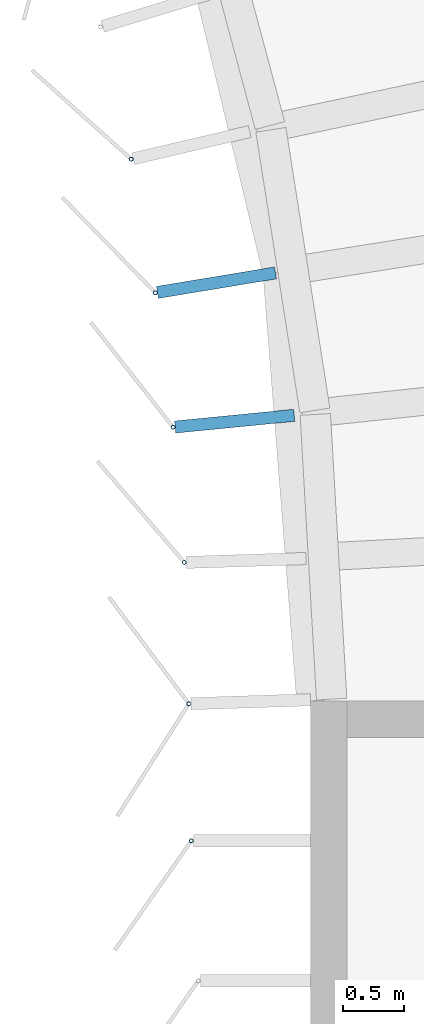
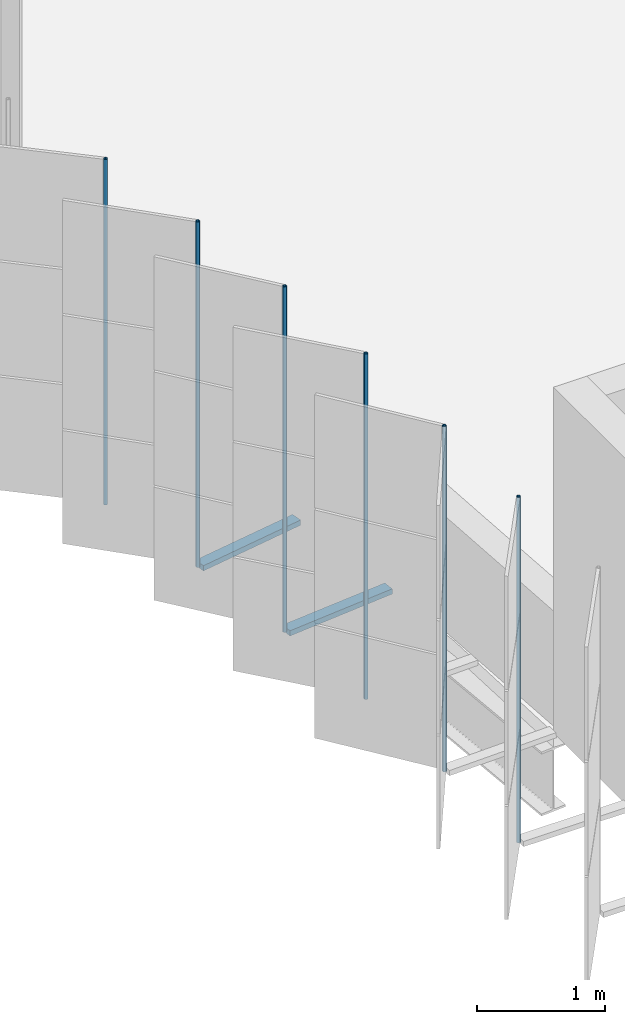
# One storey, part 116 of 214: 8 discrete accessories.
"""IFC4 building model written with IfcOpenShell, lengths in metres."""

from ifc_helpers import new_model, si_unit, direction, frame, origin, origin_2d, place, context, subcontext, project, spatial, rectangle, hollow_circle, extrude, material, material_profile, profile_set, type_object, element, save


model = new_model("IFC4")

# Units and contexts
model_context = context("Model", 3, precision=1e-05, world=origin(), true_north=direction((0.0, 1.0)))
body_context = subcontext(model_context, "Body", "Model", "MODEL_VIEW")
ifc_project = project(units=[si_unit("LENGTHUNIT", "METRE"), si_unit("AREAUNIT", "SQUARE_METRE"), si_unit("VOLUMEUNIT", "CUBIC_METRE"), si_unit("PLANEANGLEUNIT", "RADIAN"), si_unit("MASSUNIT", "GRAM", prefix="KILO")], contexts=[model_context])

# Site, building, storey
site_placement = place(None, origin())
site = spatial("IfcSite", under=ifc_project, at=site_placement, CompositionType="ELEMENT")
building_placement = place(site_placement, origin())
building = spatial("IfcBuilding", under=site, at=building_placement, Name="Parallax Yard Mobility Hub", CompositionType="ELEMENT")
storey_placement = place(building_placement, frame((0.0, 0.0, 3.300048828125)))
storey = spatial("IfcBuildingStorey", under=building, at=storey_placement, Name="L01", CompositionType="ELEMENT", Elevation=3.300048828125)

# Discrete accessories
ifc_material_1 = material(Name="Steel ASTM A36, hot-dip galvanised", Category="steel")
discrete_accessory_type_1 = type_object("IfcDiscreteAccessoryType", Name="Hinge bracket plate 100x50", PredefinedType="BRACKET", material=ifc_material_1)
for number, where, z_axis, x_axis, name in (
    (1, (194.226318359375, 93.439697265625, -0.02490234375), (0.0, 0.0, 1.0), (-0.986643332085, -0.162895473395, 0.0), "Hinge bracket plate bay 22.4 level L01"),
    (2, (194.376220703125, 92.300537109375, -0.02490234375), (0.0, 0.0, 1.0), (-0.995184726672, -0.09801714033, 0.0), "Hinge bracket plate bay 22.5 level L01"),
):
    element("IfcDiscreteAccessory", number, at=place(storey_placement, frame(where, z_axis=z_axis, x_axis=x_axis)), inside=storey, type_object=discrete_accessory_type_1, Name=name, PredefinedType="BRACKET", context=body_context, shape_type="SweptSolid", body=[
        extrude(rectangle(XDim=0.984130859375, YDim=0.10009765625, at=origin_2d()), origin(), (0.0, 0.0, 1.0), 0.050048828125),
    ])
ifc_material_2 = material(Name="Steel ASTM A500 Gr C, hot-dip galvanised", Category="steel")
ifc_material_profile = material_profile(ifc_material_2, hollow_circle(Radius=0.016845703125, WallThickness=0.003173828125, at=origin_2d()), Name="CHS 33.7x3.2")
ifc_profile_set = profile_set([ifc_material_profile], Name="Steel ASTM A500 Gr C, hot-dip galvanised")
discrete_accessory_type_2 = type_object("IfcDiscreteAccessoryType", Name="Hinge post CHS 33.7x3.2", PredefinedType="BRACKET", material=ifc_profile_set)
for number, where, z_axis, x_axis, name in (
    (3, (193.525634765625, 94.455078125, 0.0), (0.0, 0.0, 1.0), (1.0, 0.0, 0.0), "Hinge post bay 22.3 level L01"),
    (4, (193.724609375, 93.35693359375, 0.0), (0.0, 0.0, 1.0), (1.0, 0.0, 0.0), "Hinge post bay 22.4 level L01"),
    (5, (193.870361328125, 92.25048828125, 0.0), (0.0, 0.0, 1.0), (1.0, 0.0, 0.0), "Hinge post bay 22.5 level L01"),
    (6, (193.962158203125, 91.138427734375, 0.0), (0.0, 0.0, 1.0), (1.0, 0.0, 0.0), "Hinge post bay 22.6 level L01"),
    (7, (194.000244140625, 89.976806640625, 0.0), (0.0, 0.0, 1.0), (1.0, 0.0, 0.0), "Hinge post bay 23.1 level L01"),
    (8, (194.019775390625, 88.849609375, 0.0), (0.0, 0.0, 1.0), (1.0, 0.0, 0.0), "Hinge post bay 23.2 level L01"),
):
    element("IfcDiscreteAccessory", number, at=place(storey_placement, frame(where, z_axis=z_axis, x_axis=x_axis)), inside=storey, type_object=discrete_accessory_type_2, Name=name, PredefinedType="BRACKET", context=body_context, shape_type="SweptSolid", body=[
        extrude(hollow_circle(Radius=0.016845703125, WallThickness=0.003173828125, at=origin_2d()), origin(), (0.0, 0.0, 1.0), 3.300048828125),
    ])

save(model, "model.ifc")
